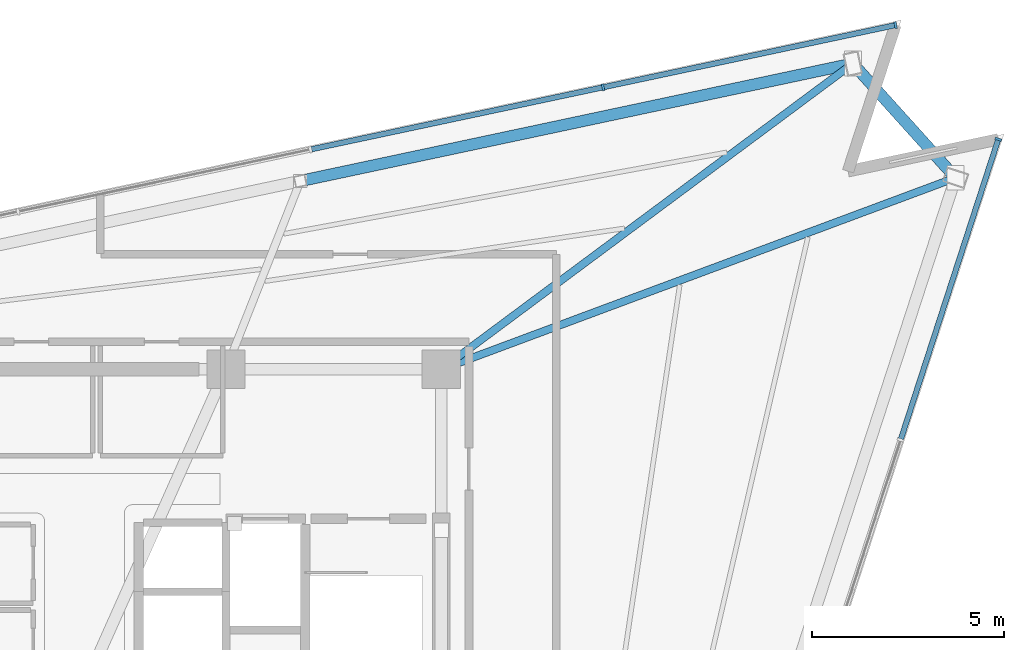
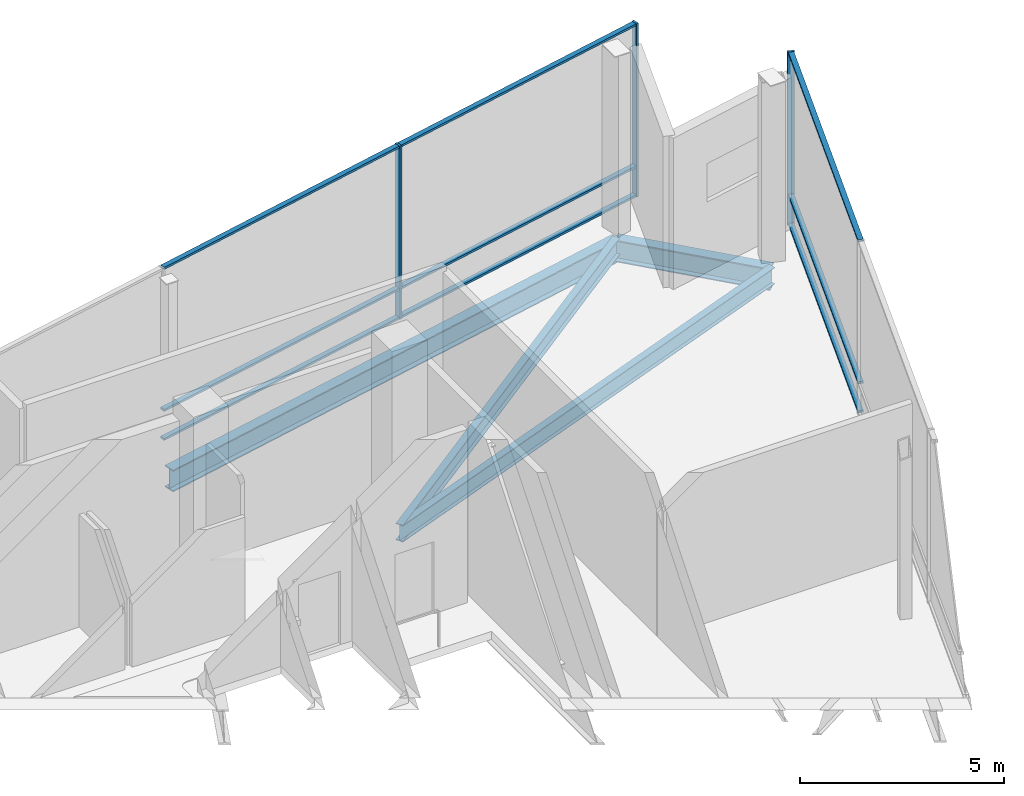
# One storey, part 9 of 14: 12 members, 4 beams, 2 elements without a shape of their own.
"""IFC4 building model written with IfcOpenShell, lengths in metres."""

from ifc_helpers import new_model, si_unit, direction, frame, origin, origin_2d, place, context, subcontext, project, spatial, rectangle, i_section, extrude, material, layer, layer_set, material_profile, profile_set, type_object, element, aggregate, save


model = new_model("IFC4")

# Units and contexts
model_context = context("Model", 3, precision=1e-05, world=origin(), true_north=direction((0.0, 1.0)))
body_context = subcontext(model_context, "Body", "Model", "MODEL_VIEW")
ifc_project = project(units=[si_unit("LENGTHUNIT", "METRE"), si_unit("AREAUNIT", "SQUARE_METRE"), si_unit("VOLUMEUNIT", "CUBIC_METRE"), si_unit("PLANEANGLEUNIT", "RADIAN"), si_unit("MASSUNIT", "GRAM", prefix="KILO")], contexts=[model_context])

# Site, building, storey
site_placement = place(None, origin())
site = spatial("IfcSite", under=ifc_project, at=site_placement, CompositionType="ELEMENT")
building_placement = place(site_placement, origin())
building = spatial("IfcBuilding", under=site, at=building_placement, Name="Tharavind Bronze Gate", CompositionType="ELEMENT")
storey_placement = place(building_placement, frame((0.0, 0.0, 310.85009765625)))
storey = spatial("IfcBuildingStorey", under=building, at=storey_placement, Name="L80", CompositionType="ELEMENT", Elevation=310.85009765625)

# Curtain wall, member
ifc_material_1 = material(Name="Anodised Bronze Aluminium", Category="aluminium")
ifc_layer = layer(ifc_material_1, 0.219970703125)
ifc_layer_set = layer_set([ifc_layer], Name="Anodised Bronze Aluminium")
curtain_wall_type = type_object("IfcCurtainWallType", Name="UNITISED CURTAIN WALL CROWN", PredefinedType="USERDEFINED", material=ifc_layer_set)
curtain_wall_1_placement = place(storey_placement, origin())
curtain_wall_1 = element("IfcCurtainWall", 1, at=curtain_wall_1_placement, inside=storey, type_object=curtain_wall_type, Name="L80 unitised curtain wall crown CW-L80-S2", ObjectType="UNITISED CURTAIN WALL", PredefinedType="USERDEFINED")
member_type_1 = type_object("IfcMemberType", Name="CURTAIN WALL BRONZE MULLION 65X180", PredefinedType="MULLION", material=ifc_material_1)
member_1_placement = place(storey_placement, frame((23.433837890625, 13.603271484375, 0.0), z_axis=(0.0, 0.0, 1.0), x_axis=(0.309016994375, 0.951056516295, 0.0)))
member_1 = element("IfcMember", 2, at=member_1_placement, type_object=member_type_1, Name="CW-L80-S2 mullion 7", PredefinedType="MULLION", context=body_context, shape_type="SweptSolid", body=[
    extrude(rectangle(XDim=0.06494140625, YDim=0.179931640625, at=origin_2d()), origin(), (0.0, 0.0, 1.0), 5.179931640625),
])

# Curtain wall, members
curtain_wall_2_placement = place(storey_placement, origin())
curtain_wall_2 = element("IfcCurtainWall", 3, at=curtain_wall_2_placement, inside=storey, type_object=curtain_wall_type, Name="L80 unitised curtain wall crown CW-L80-S3", ObjectType="UNITISED CURTAIN WALL", PredefinedType="USERDEFINED")
member_2_placement = place(storey_placement, frame((20.751953125, 16.581787109375, 0.0), z_axis=(0.0, 0.0, 1.0), x_axis=(-0.978147237858, -0.207913398007, 0.0)))
member_2 = element("IfcMember", 4, at=member_2_placement, type_object=member_type_1, Name="CW-L80-S3 mullion 1", PredefinedType="MULLION", context=body_context, shape_type="SweptSolid", body=[
    extrude(rectangle(XDim=0.06494140625, YDim=0.179931640625, at=origin_2d()), origin(), (0.0, 0.0, 1.0), 5.179931640625),
])
member_3_placement = place(storey_placement, frame((13.119873046875, 14.959716796875, 0.0), z_axis=(0.0, 0.0, 1.0), x_axis=(-0.978147237858, -0.207913398007, 0.0)))
member_3 = element("IfcMember", 5, at=member_3_placement, type_object=member_type_1, Name="CW-L80-S3 mullion 2", PredefinedType="MULLION", context=body_context, shape_type="SweptSolid", body=[
    extrude(rectangle(XDim=0.06494140625, YDim=0.179931640625, at=origin_2d()), origin(), (0.0, 0.0, 1.0), 5.179931640625),
])

# Member
member_type_2 = type_object("IfcMemberType", Name="CURTAIN WALL BRONZE TRANSOM 65X140", PredefinedType="USERDEFINED", material=ifc_material_1)
member_4_placement = place(storey_placement, frame((22.159423828125, 9.68115234375, 0.0), z_axis=(0.0, 0.0, 1.0), x_axis=(0.309016994375, 0.951056516295, 0.0)))
member_4 = element("IfcMember", 6, at=member_4_placement, type_object=member_type_2, Name="CW-L80-S2 transom TB6", ObjectType="TRANSOM", PredefinedType="USERDEFINED", context=body_context, shape_type="SweptSolid", body=[
    extrude(rectangle(XDim=8.195068359375, YDim=0.139892578125, at=origin_2d()), origin(), (0.0, 0.0, 1.0), 0.06494140625),
])

member_5_placement = place(storey_placement, frame((22.159423828125, 9.68115234375, 0.867431640625), z_axis=(0.0, 0.0, 1.0), x_axis=(0.309016994375, 0.951056516295, 0.0)))
member_5 = element("IfcMember", 7, at=member_5_placement, type_object=member_type_2, Name="CW-L80-S2 transom TS6", ObjectType="TRANSOM", PredefinedType="USERDEFINED", context=body_context, shape_type="SweptSolid", body=[
    extrude(rectangle(XDim=8.195068359375, YDim=0.139892578125, at=origin_2d()), origin(), (0.0, 0.0, 1.0), 0.06494140625),
])

member_6_placement = place(storey_placement, frame((22.159423828125, 9.68115234375, 5.114990234375), z_axis=(0.0, 0.0, 1.0), x_axis=(0.309016994375, 0.951056516295, 0.0)))
member_6 = element("IfcMember", 8, at=member_6_placement, type_object=member_type_2, Name="CW-L80-S2 transom TT6", ObjectType="TRANSOM", PredefinedType="USERDEFINED", context=body_context, shape_type="SweptSolid", body=[
    extrude(rectangle(XDim=8.195068359375, YDim=0.139892578125, at=origin_2d()), origin(), (0.0, 0.0, 1.0), 0.06494140625),
])

aggregate(curtain_wall_1, [member_1, member_4, member_5, member_6])

member_7_placement = place(storey_placement, frame((16.935791015625, 15.770751953125, 0.0), z_axis=(0.0, 0.0, 1.0), x_axis=(-0.978147237858, -0.207913398007, 0.0)))
member_7 = element("IfcMember", 9, at=member_7_placement, type_object=member_type_2, Name="CW-L80-S3 transom TB1", ObjectType="TRANSOM", PredefinedType="USERDEFINED", context=body_context, shape_type="SweptSolid", body=[
    extrude(rectangle(XDim=7.749755859375, YDim=0.139892578125, at=origin_2d()), origin(), (0.0, 0.0, 1.0), 0.06494140625),
])

member_8_placement = place(storey_placement, frame((16.935791015625, 15.770751953125, 0.867431640625), z_axis=(0.0, 0.0, 1.0), x_axis=(-0.978147237858, -0.207913398007, 0.0)))
member_8 = element("IfcMember", 10, at=member_8_placement, type_object=member_type_2, Name="CW-L80-S3 transom TS1", ObjectType="TRANSOM", PredefinedType="USERDEFINED", context=body_context, shape_type="SweptSolid", body=[
    extrude(rectangle(XDim=7.749755859375, YDim=0.139892578125, at=origin_2d()), origin(), (0.0, 0.0, 1.0), 0.06494140625),
])

member_9_placement = place(storey_placement, frame((16.935791015625, 15.770751953125, 5.114990234375), z_axis=(0.0, 0.0, 1.0), x_axis=(-0.978147237858, -0.207913398007, 0.0)))
member_9 = element("IfcMember", 11, at=member_9_placement, type_object=member_type_2, Name="CW-L80-S3 transom TT1", ObjectType="TRANSOM", PredefinedType="USERDEFINED", context=body_context, shape_type="SweptSolid", body=[
    extrude(rectangle(XDim=7.749755859375, YDim=0.139892578125, at=origin_2d()), origin(), (0.0, 0.0, 1.0), 0.06494140625),
])

member_10_placement = place(storey_placement, frame((9.3037109375, 14.1484375, 0.0), z_axis=(0.0, 0.0, 1.0), x_axis=(-0.978147237858, -0.207913398007, 0.0)))
member_10 = element("IfcMember", 12, at=member_10_placement, type_object=member_type_2, Name="CW-L80-S3 transom TB2", ObjectType="TRANSOM", PredefinedType="USERDEFINED", context=body_context, shape_type="SweptSolid", body=[
    extrude(rectangle(XDim=7.749755859375, YDim=0.139892578125, at=origin_2d()), origin(), (0.0, 0.0, 1.0), 0.06494140625),
])

member_11_placement = place(storey_placement, frame((9.3037109375, 14.1484375, 0.867431640625), z_axis=(0.0, 0.0, 1.0), x_axis=(-0.978147237858, -0.207913398007, 0.0)))
member_11 = element("IfcMember", 13, at=member_11_placement, type_object=member_type_2, Name="CW-L80-S3 transom TS2", ObjectType="TRANSOM", PredefinedType="USERDEFINED", context=body_context, shape_type="SweptSolid", body=[
    extrude(rectangle(XDim=7.749755859375, YDim=0.139892578125, at=origin_2d()), origin(), (0.0, 0.0, 1.0), 0.06494140625),
])

member_12_placement = place(storey_placement, frame((9.3037109375, 14.1484375, 5.114990234375), z_axis=(0.0, 0.0, 1.0), x_axis=(-0.978147237858, -0.207913398007, 0.0)))
member_12 = element("IfcMember", 14, at=member_12_placement, type_object=member_type_2, Name="CW-L80-S3 transom TT2", ObjectType="TRANSOM", PredefinedType="USERDEFINED", context=body_context, shape_type="SweptSolid", body=[
    extrude(rectangle(XDim=7.749755859375, YDim=0.139892578125, at=origin_2d()), origin(), (0.0, 0.0, 1.0), 0.06494140625),
])

aggregate(curtain_wall_2, [member_2, member_3, member_7, member_8, member_9, member_10, member_11, member_12])

# Beams
ifc_material_2 = material(Name="Steel S355", Category="steel")
ifc_material_profile_1 = material_profile(ifc_material_2, i_section(OverallWidth=0.300048828125, OverallDepth=0.64990234375, WebThickness=0.01611328125, FlangeThickness=0.031005859375, at=origin_2d()), Name="HE650B")
ifc_profile_set_1 = profile_set([ifc_material_profile_1], Name="Steel S355")
beam_type_1 = type_object("IfcBeamType", Name="PRIMARY GIRDER HE650B", PredefinedType="USERDEFINED", material=ifc_profile_set_1)
beam_1_placement = place(storey_placement, frame((22.319091796875, 12.599609375, -0.565185546875), z_axis=(-0.669132983361, 0.743142685208, 0.0), x_axis=(-0.743142685208, -0.669132983361, 0.0)))
element("IfcBeam", 15, at=beam_1_placement, inside=storey, type_object=beam_type_1, Name="L80 primary girder he650b BM-L80-PRG08", ObjectType="GIRDER", PredefinedType="USERDEFINED", context=body_context, shape_type="SweptSolid", body=[
    extrude(i_section(OverallWidth=0.300048828125, OverallDepth=0.64990234375, WebThickness=0.01611328125, FlangeThickness=0.031005859375, at=origin_2d()), origin(), (0.0, 0.0, 1.0), 4.008056640625),
])
beam_2_placement = place(storey_placement, frame((19.63720703125, 15.578125, -0.565185546875), z_axis=(-0.97814794647, -0.207910064249, 0.0), x_axis=(0.207910064249, -0.97814794647, 0.0)))
element("IfcBeam", 16, at=beam_2_placement, inside=storey, type_object=beam_type_1, Name="L80 primary girder he650b BM-L80-PRG09", ObjectType="GIRDER", PredefinedType="USERDEFINED", context=body_context, shape_type="SweptSolid", body=[
    extrude(i_section(OverallWidth=0.300048828125, OverallDepth=0.64990234375, WebThickness=0.01611328125, FlangeThickness=0.031005859375, at=origin_2d()), origin(), (0.0, 0.0, 1.0), 14.7392578125),
])
ifc_material_profile_2 = material_profile(ifc_material_2, i_section(OverallWidth=0.199951171875, OverallDepth=0.5, WebThickness=0.01025390625, FlangeThickness=0.01611328125, at=origin_2d()), Name="IPE500")
ifc_profile_set_2 = profile_set([ifc_material_profile_2], Name="Steel S355")
beam_type_2 = type_object("IfcBeamType", Name="PRIMARY GIRDER IPE500", PredefinedType="USERDEFINED", material=ifc_profile_set_2)
beam_3_placement = place(storey_placement, frame((22.319091796875, 12.599609375, -0.489990234375), z_axis=(-0.937077412275, -0.349121645567, 0.0), x_axis=(0.349121645567, -0.937077412275, 0.0)))
element("IfcBeam", 17, at=beam_3_placement, inside=storey, type_object=beam_type_2, Name="L80 primary girder ipe500 BM-L80-RAD08", ObjectType="GIRDER", PredefinedType="USERDEFINED", context=body_context, shape_type="SweptSolid", body=[
    extrude(i_section(OverallWidth=0.199951171875, OverallDepth=0.5, WebThickness=0.01025390625, FlangeThickness=0.01611328125, at=origin_2d()), origin(), (0.0, 0.0, 1.0), 14.3203125),
])
beam_4_placement = place(storey_placement, frame((19.63720703125, 15.578125, -0.489990234375), z_axis=(-0.802681438581, -0.596408004774, 0.0), x_axis=(0.596408004774, -0.802681438581, 0.0)))
element("IfcBeam", 18, at=beam_4_placement, inside=storey, type_object=beam_type_2, Name="L80 primary girder ipe500 BM-L80-RAD09", ObjectType="GIRDER", PredefinedType="USERDEFINED", context=body_context, shape_type="SweptSolid", body=[
    extrude(i_section(OverallWidth=0.199951171875, OverallDepth=0.5, WebThickness=0.01025390625, FlangeThickness=0.01611328125, at=origin_2d()), origin(), (0.0, 0.0, 1.0), 13.376708984375),
])

save(model, "model.ifc")
